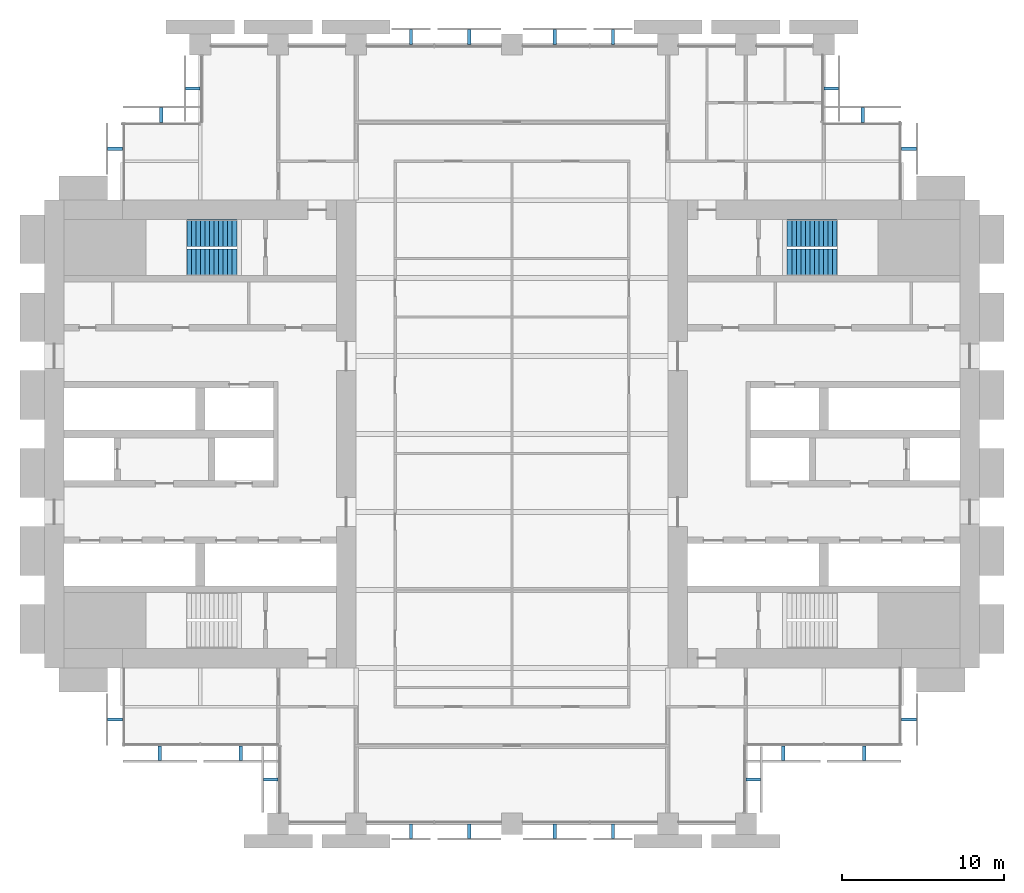
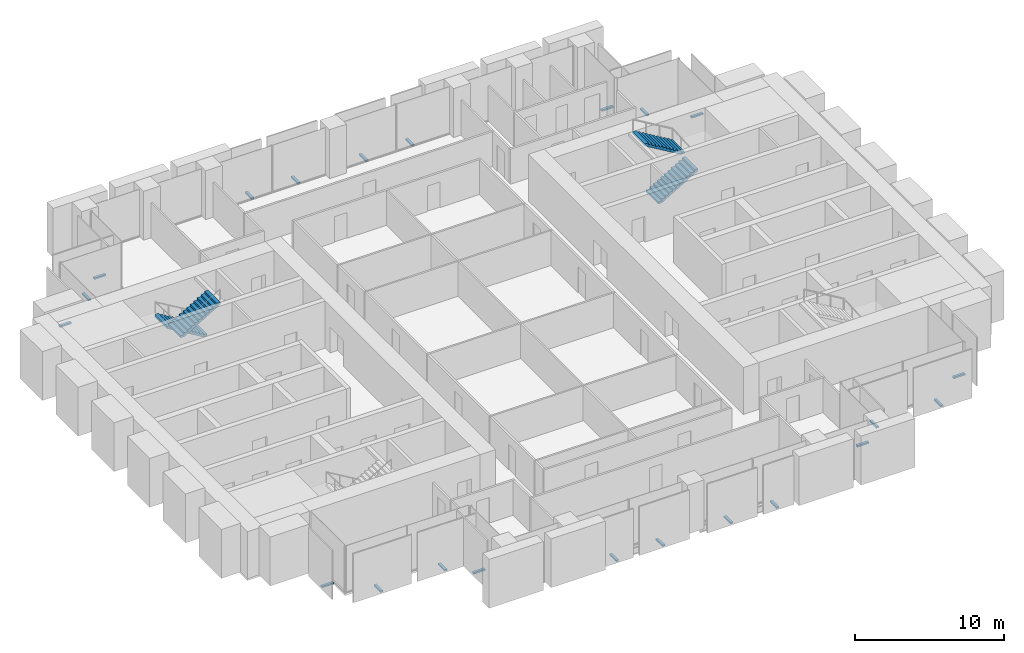
# One storey, part 13 of 14: 22 discrete accessories, 4 stair flights, 2 elements without a shape of their own.
"""IFC4 building model written with IfcOpenShell, lengths in metres."""

import ifcopenshell
import ifcopenshell.guid

model = None  # the IFC model being written
_history = None  # IfcOwnerHistory: only IFC2X3 demands one
_inside = {}  # id of a spatial element -> (the spatial element, [elements in it])
_under = {}  # id of a project, library or spatial element -> (it, [spatial elements below it])
_declared = {}  # id of a project -> (the project, [libraries it declares])
_typed = {}  # id of a type object -> (the type object, [elements of that type])
_made_of = {}  # id of a material, layer set ... -> (it, [elements and type objects made of it])


def new_model(schema):
    """Start an empty IFC model of exactly this schema.

    Asked for "IFC4X3", IfcOpenShell would pick the latest addendum, in which some entities
    have other attributes; the version numbers below select the first issue.
    IFC2X3 requires an IfcOwnerHistory on every rooted entity: one is made here for all.
    """
    global model, _history
    if schema == "IFC4X3":
        model = ifcopenshell.file(schema_version=(4, 3, 0, 0))
    else:
        model = ifcopenshell.file(schema=schema)
    _inside.clear()
    _under.clear()
    _declared.clear()
    _typed.clear()
    _made_of.clear()
    _history = None
    if model.schema == "IFC2X3":
        org = make("IfcOrganization", Name="unknown")
        user = make(
            "IfcPersonAndOrganization",
            ThePerson=make("IfcPerson", FamilyName="unknown"),
            TheOrganization=org,
        )
        app = make(
            "IfcApplication",
            ApplicationDeveloper=org,
            Version="unknown",
            ApplicationFullName="unknown",
            ApplicationIdentifier="unknown",
        )
        _history = make(
            "IfcOwnerHistory",
            OwningUser=user,
            OwningApplication=app,
            ChangeAction="ADDED",
            CreationDate=0,
        )
    return model


def make(cls, **values):
    """One entity of the class cls with the attributes given. An attribute that is None is left unset."""
    return model.create_entity(
        cls, **{name: value for name, value in values.items() if value is not None}
    )


def rooted(cls, **values):
    """An entity with a GlobalId (a new one), such as an element, a storey or a relation."""
    return make(cls, GlobalId=ifcopenshell.guid.new(), OwnerHistory=_history, **values)


def si_unit(unit_type, name, prefix=None):
    """IfcSIUnit, for example si_unit("LENGTHUNIT", "METRE", prefix="MILLI")."""
    return make("IfcSIUnit", UnitType=unit_type, Prefix=prefix, Name=name)


def assignment(units):
    """IfcUnitAssignment: the units of a project."""
    return None if units is None else make("IfcUnitAssignment", Units=units)


def point(xyz):
    """IfcCartesianPoint."""
    return None if xyz is None else make("IfcCartesianPoint", Coordinates=xyz)


def direction(xyz):
    """IfcDirection."""
    return None if xyz is None else make("IfcDirection", DirectionRatios=xyz)


def frame(location, z_axis=None, x_axis=None):
    """IfcAxis2Placement3D, a coordinate frame: its origin and axes. An axis left out is left unset."""
    return make(
        "IfcAxis2Placement3D",
        Location=point(location),
        Axis=direction(z_axis),
        RefDirection=direction(x_axis),
    )


def frame_2d(location, x_axis=None):
    """IfcAxis2Placement2D, a coordinate frame in the plane: its origin and x axis."""
    return make(
        "IfcAxis2Placement2D", Location=point(location), RefDirection=direction(x_axis)
    )


def origin():
    """The frame at (0, 0, 0) with its axes left unset."""
    return frame((0.0, 0.0, 0.0))


def origin_2d():
    """The frame at (0, 0) in the plane with its x axis left unset."""
    return frame_2d((0.0, 0.0))


def place(relative_to, where):
    """IfcLocalPlacement: puts the frame where relative to a parent placement (None: the world)."""
    return make(
        "IfcLocalPlacement", PlacementRelTo=relative_to, RelativePlacement=where
    )


def context(
    kind, dimensions, precision=None, world=None, true_north=None, identifier=None
):
    """IfcGeometricRepresentationContext, for example the 3D "Model" context."""
    return make(
        "IfcGeometricRepresentationContext",
        ContextIdentifier=identifier,
        ContextType=kind,
        CoordinateSpaceDimension=dimensions,
        Precision=precision,
        WorldCoordinateSystem=world,
        TrueNorth=true_north,
    )


def subcontext(parent, identifier, kind, view, scale=None):
    """IfcGeometricRepresentationSubContext, for example "Body" below "Model"."""
    return make(
        "IfcGeometricRepresentationSubContext",
        ContextIdentifier=identifier,
        ContextType=kind,
        ParentContext=parent,
        TargetScale=scale,
        TargetView=view,
    )


def project(units=None, contexts=None):
    """IfcProject with its units and contexts."""
    return rooted(
        "IfcProject",
        Name="project",
        RepresentationContexts=contexts,
        UnitsInContext=assignment(units),
    )


def spatial(cls, under=None, at=None, **own):
    """A site, building, storey or space (cls), placed at a placement, below another one or the project."""
    s = rooted(cls, ObjectPlacement=at, **own)
    if under is not None:
        _under.setdefault(under.id(), (under, []))[1].append(s)
    return s


def polyline(points):
    """IfcPolyline through the points."""
    return make("IfcPolyline", Points=[point(p) for p in points])


def profile(cls, at=None, kind="AREA", **sizes):
    """A parametric profile (cls). Its sizes go by their IFC names, for example OverallWidth=200.0."""
    return make(cls, ProfileType=kind, Position=at, **sizes)


def rectangle(**sizes):
    """IfcRectangleProfileDef."""
    return profile("IfcRectangleProfileDef", **sizes)


def outline(outer, holes=None, kind="AREA"):
    """IfcArbitraryClosedProfileDef: a profile drawn as a closed curve; with holes, ...WithVoids."""
    if holes is None:
        return make("IfcArbitraryClosedProfileDef", ProfileType=kind, OuterCurve=outer)
    return make(
        "IfcArbitraryProfileDefWithVoids",
        ProfileType=kind,
        OuterCurve=outer,
        InnerCurves=holes,
    )


def extrude(swept, where, along, depth):
    """IfcExtrudedAreaSolid: the profile swept, set in the frame where, extruded along a direction by depth."""
    return make(
        "IfcExtrudedAreaSolid",
        SweptArea=swept,
        Position=where,
        ExtrudedDirection=direction(along),
        Depth=depth,
    )


def shape(context_of_items, identifier, shape_type, items):
    """IfcShapeRepresentation: the items that make up one representation, for example the "Body"."""
    return make(
        "IfcShapeRepresentation",
        ContextOfItems=context_of_items,
        RepresentationIdentifier=identifier,
        RepresentationType=shape_type,
        Items=items,
    )


def material(Name=None, Category=None):
    """IfcMaterial."""
    return make("IfcMaterial", Name=Name, Category=Category)


def made_of(thing, what):
    """Note that an element or type object is made of a material, layer set ...; save() writes the relation."""
    if what is not None:
        _made_of.setdefault(what.id(), (what, []))[1].append(thing)
    return thing


def type_object(cls, material=None, **own):
    """A type object (cls), such as IfcWallType, which elements share."""
    return made_of(rooted(cls, **own), material)


def element(
    cls,
    number,
    at=None,
    inside=None,
    cuts=None,
    type_object=None,
    material=None,
    context=None,
    identifier="Body",
    shape_type=None,
    held_by="IfcProductDefinitionShape",
    body=None,
    shapes=None,
    **own,
):
    """One element of the class cls, such as IfcWall. Its Tag is "e" and its number.

    at: its placement. inside: the storey or other place that contains it. cuts: it is an
    opening in that element (IfcRelVoidsElement). A single representation is given by context,
    identifier, shape_type and body (its items); several are given by shapes. held_by: the class
    of the entity that holds the representations. save() writes the other relations.
    """
    e = rooted(cls, Tag="e%d" % number, ObjectPlacement=at, **own)
    if body is not None:
        shapes = [shape(context, identifier, shape_type, body)]
    if shapes is not None:
        e.Representation = make(held_by, Representations=shapes)
    if inside is not None:
        _inside.setdefault(inside.id(), (inside, []))[1].append(e)
    if cuts is not None:
        rooted(
            "IfcRelVoidsElement", RelatingBuildingElement=cuts, RelatedOpeningElement=e
        )
    if type_object is not None:
        _typed.setdefault(type_object.id(), (type_object, []))[1].append(e)
    return made_of(e, material)


def aggregate(whole, parts):
    """IfcRelAggregates: a whole, such as a stair, and the parts it consists of."""
    return rooted("IfcRelAggregates", RelatingObject=whole, RelatedObjects=parts)


def save(model, path):
    """Write the relations noted so far, then the file.

    IfcRelAggregates (storeys below a building ...), IfcRelContainedInSpatialStructure (elements
    in a storey), IfcRelDefinesByType, IfcRelAssociatesMaterial and IfcRelDeclares: one each for
    every whole, place, type object, material and project.
    """
    for whole, parts in _under.values():
        aggregate(whole, parts)
    for where, things in _inside.values():
        rooted(
            "IfcRelContainedInSpatialStructure",
            RelatedElements=things,
            RelatingStructure=where,
        )
    for kind, things in _typed.values():
        rooted("IfcRelDefinesByType", RelatedObjects=things, RelatingType=kind)
    for what, things in _made_of.values():
        rooted("IfcRelAssociatesMaterial", RelatedObjects=things, RelatingMaterial=what)
    for by, libraries in _declared.values():
        rooted("IfcRelDeclares", RelatingContext=by, RelatedDefinitions=libraries)
    model.write(path)


model = new_model("IFC4")

# Units and contexts
model_context = context("Model", 3, precision=1e-05, world=origin(), true_north=direction((0.0, 1.0)))
body_context = subcontext(model_context, "Body", "Model", "MODEL_VIEW")
ifc_project = project(units=[si_unit("LENGTHUNIT", "METRE"), si_unit("AREAUNIT", "SQUARE_METRE"), si_unit("VOLUMEUNIT", "CUBIC_METRE"), si_unit("PLANEANGLEUNIT", "RADIAN"), si_unit("MASSUNIT", "GRAM", prefix="KILO")], contexts=[model_context])

# Site, building, storey
site_placement = place(None, origin())
site = spatial("IfcSite", under=ifc_project, at=site_placement, CompositionType="ELEMENT")
building_placement = place(site_placement, origin())
building = spatial("IfcBuilding", under=site, at=building_placement, Name="Baori Bourse Tower", CompositionType="ELEMENT")
storey_placement = place(building_placement, frame((0.0, 0.0, 79.0)))
storey = spatial("IfcBuildingStorey", under=building, at=storey_placement, Name="L17", CompositionType="ELEMENT", Elevation=79.0)

# Stair, stair flights
ifc_material_1 = material(Name="Concrete f'c 50 MPa", Category="concrete")
stair_type = type_object("IfcStairType", Name="Core stair", PredefinedType="HALF_TURN_STAIR", material=ifc_material_1)
stair_1_placement = place(storey_placement, origin())
stair_1 = element("IfcStair", 1, at=stair_1_placement, inside=storey, type_object=stair_type, Name="L17 Stair WB", PredefinedType="HALF_TURN_STAIR")
ifc_material_2 = material(Name="Concrete f'c 50 MPa", Category="concrete")
stair_flight_type = type_object("IfcStairFlightType", Name="Core stair flight", PredefinedType="STRAIGHT", material=ifc_material_2)
stair_flight_1_placement = place(storey_placement, frame((11.85009765625, 36.375, 0.0), z_axis=(0.0, 0.0, 1.0), x_axis=(-1.0, 0.0, 0.0)))
stair_flight_1 = element("IfcStairFlight", 2, at=stair_flight_1_placement, type_object=stair_flight_type, Name="ST2 flight 1", NumberOfRisers=12, NumberOfTreads=11, PredefinedType="STRAIGHT", RiserHeight=0.166666667, TreadLength=0.28, context=body_context, shape_type="SweptSolid", body=[
    extrude(outline(polyline([(0.0, 0.0), (0.0, 0.166748046875), (0.280029296875, 0.166748046875), (0.280029296875, 0.333251953125), (0.56005859375, 0.333251953125), (0.56005859375, 0.5), (0.840087890625, 0.5), (0.840087890625, 0.666748046875), (1.1201171875, 0.666748046875), (1.1201171875, 0.833251953125), (1.39990234375, 0.833251953125), (1.39990234375, 1.0), (1.679931640625, 1.0), (1.679931640625, 1.166748046875), (1.9599609375, 1.166748046875), (1.9599609375, 1.333251953125), (2.239990234375, 1.333251953125), (2.239990234375, 1.5), (2.52001953125, 1.5), (2.52001953125, 1.666748046875), (2.800048828125, 1.666748046875), (2.800048828125, 1.833251953125), (3.080078125, 1.833251953125), (3.080078125, 2.0), (3.080078125, 1.658935546875), (0.29296875, 0.0), (0.0, 0.0)])), frame((0.0, 0.824951171875, 0.0), z_axis=(0.0, -1.0, 0.0), x_axis=(1.0, 0.0, 0.0)), (0.0, 0.0, 1.0), 1.64990234375),
])
stair_flight_2_placement = place(storey_placement, frame((8.77001953125, 34.574951171875, 2.0), z_axis=(0.0, 0.0, 1.0), x_axis=(1.0, 0.0, 0.0)))
stair_flight_2 = element("IfcStairFlight", 3, at=stair_flight_2_placement, type_object=stair_flight_type, Name="ST2 flight 2", NumberOfRisers=12, NumberOfTreads=11, PredefinedType="STRAIGHT", RiserHeight=0.166666667, TreadLength=0.28, context=body_context, shape_type="SweptSolid", body=[
    extrude(outline(polyline([(0.0, 0.0), (0.0, 0.166748046875), (0.280029296875, 0.166748046875), (0.280029296875, 0.333251953125), (0.56005859375, 0.333251953125), (0.56005859375, 0.5), (0.840087890625, 0.5), (0.840087890625, 0.666748046875), (1.1201171875, 0.666748046875), (1.1201171875, 0.833251953125), (1.39990234375, 0.833251953125), (1.39990234375, 1.0), (1.679931640625, 1.0), (1.679931640625, 1.166748046875), (1.9599609375, 1.166748046875), (1.9599609375, 1.333251953125), (2.239990234375, 1.333251953125), (2.239990234375, 1.5), (2.52001953125, 1.5), (2.52001953125, 1.666748046875), (2.800048828125, 1.666748046875), (2.800048828125, 1.833251953125), (3.080078125, 1.833251953125), (3.080078125, 2.0), (3.080078125, 1.658935546875), (0.29296875, 0.0), (0.0, 0.0)])), frame((0.0, 0.824951171875, 0.0), z_axis=(0.0, -1.0, 0.0), x_axis=(1.0, 0.0, 0.0)), (0.0, 0.0, 1.0), 1.64990234375),
])
aggregate(stair_1, [stair_flight_1, stair_flight_2])

stair_2_placement = place(storey_placement, origin())
stair_2 = element("IfcStair", 4, at=stair_2_placement, inside=storey, type_object=stair_type, Name="L17 Stair EB", PredefinedType="HALF_TURN_STAIR")
stair_flight_3_placement = place(storey_placement, frame((45.75, 34.574951171875, 0.0), z_axis=(0.0, 0.0, 1.0), x_axis=(1.0, 0.0, 0.0)))
stair_flight_3 = element("IfcStairFlight", 5, at=stair_flight_3_placement, type_object=stair_flight_type, Name="ST4 flight 1", NumberOfRisers=12, NumberOfTreads=11, PredefinedType="STRAIGHT", RiserHeight=0.166666667, TreadLength=0.28, context=body_context, shape_type="SweptSolid", body=[
    extrude(outline(polyline([(0.0, 0.0), (0.0, 0.166748046875), (0.280029296875, 0.166748046875), (0.280029296875, 0.333251953125), (0.56005859375, 0.333251953125), (0.56005859375, 0.5), (0.840087890625, 0.5), (0.840087890625, 0.666748046875), (1.1201171875, 0.666748046875), (1.1201171875, 0.833251953125), (1.39990234375, 0.833251953125), (1.39990234375, 1.0), (1.679931640625, 1.0), (1.679931640625, 1.166748046875), (1.9599609375, 1.166748046875), (1.9599609375, 1.333251953125), (2.239990234375, 1.333251953125), (2.239990234375, 1.5), (2.52001953125, 1.5), (2.52001953125, 1.666748046875), (2.800048828125, 1.666748046875), (2.800048828125, 1.833251953125), (3.080078125, 1.833251953125), (3.080078125, 2.0), (3.080078125, 1.658935546875), (0.29296875, 0.0), (0.0, 0.0)])), frame((0.0, 0.824951171875, 0.0), z_axis=(0.0, -1.0, 0.0), x_axis=(1.0, 0.0, 0.0)), (0.0, 0.0, 1.0), 1.64990234375),
])
stair_flight_4_placement = place(storey_placement, frame((48.830078125, 36.375, 2.0), z_axis=(0.0, 0.0, 1.0), x_axis=(-1.0, 0.0, 0.0)))
stair_flight_4 = element("IfcStairFlight", 6, at=stair_flight_4_placement, type_object=stair_flight_type, Name="ST4 flight 2", NumberOfRisers=12, NumberOfTreads=11, PredefinedType="STRAIGHT", RiserHeight=0.166666667, TreadLength=0.28, context=body_context, shape_type="SweptSolid", body=[
    extrude(outline(polyline([(0.0, 0.0), (0.0, 0.166748046875), (0.280029296875, 0.166748046875), (0.280029296875, 0.333251953125), (0.56005859375, 0.333251953125), (0.56005859375, 0.5), (0.840087890625, 0.5), (0.840087890625, 0.666748046875), (1.1201171875, 0.666748046875), (1.1201171875, 0.833251953125), (1.39990234375, 0.833251953125), (1.39990234375, 1.0), (1.679931640625, 1.0), (1.679931640625, 1.166748046875), (1.9599609375, 1.166748046875), (1.9599609375, 1.333251953125), (2.239990234375, 1.333251953125), (2.239990234375, 1.5), (2.52001953125, 1.5), (2.52001953125, 1.666748046875), (2.800048828125, 1.666748046875), (2.800048828125, 1.833251953125), (3.080078125, 1.833251953125), (3.080078125, 2.0), (3.080078125, 1.658935546875), (0.29296875, 0.0), (0.0, 0.0)])), frame((0.0, 0.824951171875, 0.0), z_axis=(0.0, -1.0, 0.0), x_axis=(1.0, 0.0, 0.0)), (0.0, 0.0, 1.0), 1.64990234375),
])
aggregate(stair_2, [stair_flight_3, stair_flight_4])

# Discrete accessories
ifc_material_3 = material(Name="Pale anodised aluminium", Category="aluminium")
discrete_accessory_type = type_object("IfcDiscreteAccessoryType", Name="OS2 Outer skin bracket", PredefinedType="BRACKET", material=ifc_material_3)
for number, where, z_axis, x_axis, name in (
    (7, (53.25, 41.574951171875, -0.14404296875), (0.0, 0.0, 1.0), (0.0, 1.0, 0.0), "Outer skin bracket L17 1"),
    (8, (50.39990234375, 43.64990234375, -0.14404296875), (0.0, 0.0, 1.0), (-1.0, 0.0, 0.0), "Outer skin bracket L17 2"),
    (9, (48.449951171875, 45.27490234375, -0.14404296875), (0.0, 0.0, 1.0), (0.0, 1.0, 0.0), "Outer skin bracket L17 3"),
    (10, (35.012451171875, 48.449951171875, -0.14404296875), (0.0, 0.0, 1.0), (-1.0, 0.0, 0.0), "Outer skin bracket L17 4"),
    (11, (31.4375, 48.449951171875, -0.14404296875), (0.0, 0.0, 1.0), (-1.0, 0.0, 0.0), "Outer skin bracket L17 5"),
    (12, (26.16259765625, 48.449951171875, -0.14404296875), (0.0, 0.0, 1.0), (-1.0, 0.0, 0.0), "Outer skin bracket L17 6"),
    (13, (22.58740234375, 48.449951171875, -0.14404296875), (0.0, 0.0, 1.0), (-1.0, 0.0, 0.0), "Outer skin bracket L17 7"),
    (14, (9.14990234375, 45.27490234375, -0.14404296875), (0.0, 0.0, 1.0), (0.0, -1.0, 0.0), "Outer skin bracket L17 8"),
    (15, (7.199951171875, 43.64990234375, -0.14404296875), (0.0, 0.0, 1.0), (-1.0, 0.0, 0.0), "Outer skin bracket L17 9"),
    (16, (4.35009765625, 41.574951171875, -0.14404296875), (0.0, 0.0, 1.0), (0.0, -1.0, 0.0), "Outer skin bracket L17 10"),
    (17, (4.35009765625, 6.425048828125, -0.14404296875), (0.0, 0.0, 1.0), (0.0, -1.0, 0.0), "Outer skin bracket L17 11"),
    (18, (7.112548828125, 4.35009765625, -0.14404296875), (0.0, 0.0, 1.0), (1.0, 0.0, 0.0), "Outer skin bracket L17 12"),
    (19, (12.08740234375, 4.35009765625, -0.14404296875), (0.0, 0.0, 1.0), (1.0, 0.0, 0.0), "Outer skin bracket L17 13"),
    (20, (13.949951171875, 2.72509765625, -0.14404296875), (0.0, 0.0, 1.0), (0.0, -1.0, 0.0), "Outer skin bracket L17 14"),
    (21, (22.58740234375, -0.449951171875, -0.14404296875), (0.0, 0.0, 1.0), (1.0, 0.0, 0.0), "Outer skin bracket L17 15"),
    (22, (26.16259765625, -0.449951171875, -0.14404296875), (0.0, 0.0, 1.0), (1.0, 0.0, 0.0), "Outer skin bracket L17 16"),
    (23, (31.4375, -0.449951171875, -0.14404296875), (0.0, 0.0, 1.0), (1.0, 0.0, 0.0), "Outer skin bracket L17 17"),
    (24, (35.012451171875, -0.449951171875, -0.14404296875), (0.0, 0.0, 1.0), (1.0, 0.0, 0.0), "Outer skin bracket L17 18"),
    (25, (43.64990234375, 2.72509765625, -0.14404296875), (0.0, 0.0, 1.0), (0.0, 1.0, 0.0), "Outer skin bracket L17 19"),
    (26, (45.512451171875, 4.35009765625, -0.14404296875), (0.0, 0.0, 1.0), (1.0, 0.0, 0.0), "Outer skin bracket L17 20"),
    (27, (50.487548828125, 4.35009765625, -0.14404296875), (0.0, 0.0, 1.0), (1.0, 0.0, 0.0), "Outer skin bracket L17 21"),
    (28, (53.25, 6.425048828125, -0.14404296875), (0.0, 0.0, 1.0), (0.0, 1.0, 0.0), "Outer skin bracket L17 22"),
):
    element("IfcDiscreteAccessory", number, at=place(storey_placement, frame(where, z_axis=z_axis, x_axis=x_axis)), inside=storey, type_object=discrete_accessory_type, Name=name, PredefinedType="BRACKET", context=body_context, shape_type="SweptSolid", body=[
        extrude(rectangle(XDim=0.199951171875, YDim=0.89990234375, at=origin_2d()), origin(), (0.0, 0.0, 1.0), 0.1279296875),
    ])

save(model, "model.ifc")
